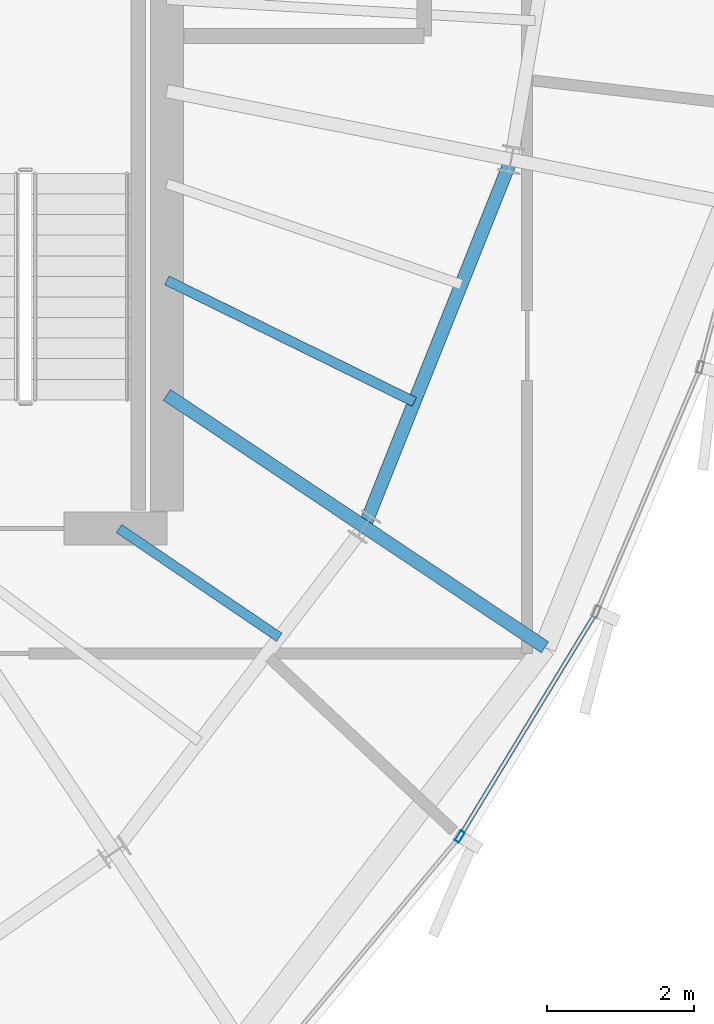
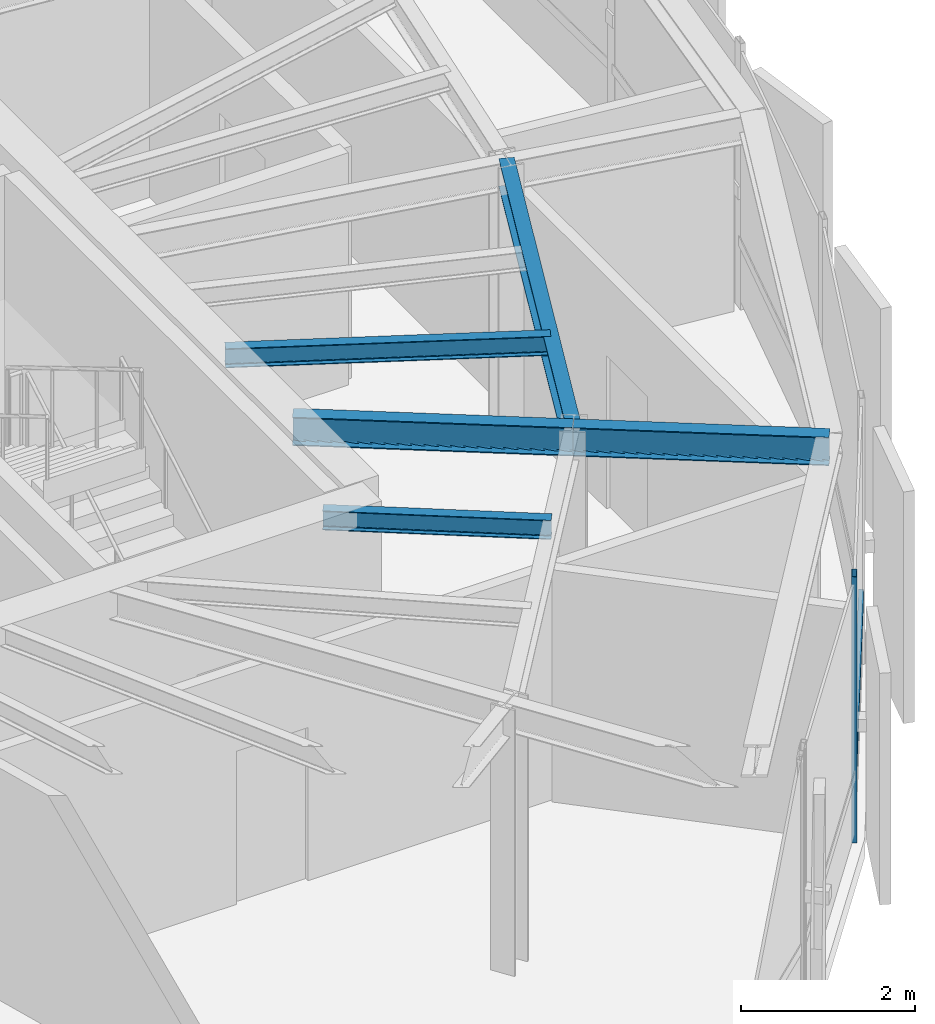
# One storey, part 9 of 26: 5 beams, 2 members, 1 element without a shape of its own.
"""IFC4 building model written with IfcOpenShell, lengths in metres."""

from ifc_helpers import new_model, si_unit, direction, frame, origin, origin_2d, place, context, subcontext, project, spatial, hollow_rectangle, i_section, extrude, source, transform, mapped, material, layer, layer_set, material_profile, profile_set, type_object, element, aggregate, save


model = new_model("IFC4")

# Units and contexts
model_context = context("Model", 3, precision=1e-05, world=origin(), true_north=direction((0.0, 1.0)))
body_context = subcontext(model_context, "Body", "Model", "MODEL_VIEW")
ifc_project = project(units=[si_unit("LENGTHUNIT", "METRE"), si_unit("AREAUNIT", "SQUARE_METRE"), si_unit("VOLUMEUNIT", "CUBIC_METRE"), si_unit("PLANEANGLEUNIT", "RADIAN"), si_unit("MASSUNIT", "GRAM", prefix="KILO"), si_unit("THERMODYNAMICTEMPERATUREUNIT", "KELVIN")], contexts=[model_context])

# Site, building, storey
site_placement = place(None, origin())
site = spatial("IfcSite", under=ifc_project, at=site_placement, CompositionType="ELEMENT")
building_placement = place(site_placement, origin())
building = spatial("IfcBuilding", under=site, at=building_placement, Name="Kethvar Cultural Tower", CompositionType="ELEMENT")
storey_placement = place(building_placement, frame((0.0, 0.0, 320.300048828125)))
storey = spatial("IfcBuildingStorey", under=building, at=storey_placement, Name="L85", CompositionType="ELEMENT", Elevation=320.300048828125)

# Beams
ifc_material_1 = material(Name="Steel S355J2", Category="steel")
ifc_material_profile_1 = material_profile(ifc_material_1, i_section(OverallWidth=0.135009765625, OverallDepth=0.27001953125, WebThickness=0.006591796875, FlangeThickness=0.01025390625, FilletRadius=0.014892578125, at=origin_2d()), Name="Steel S355J2 — IPE270")
ifc_profile_set_1 = profile_set([ifc_material_profile_1], Name="Steel S355J2 — IPE270")
beam_type_1 = type_object("IfcBeamType", Name="BM-J270", PredefinedType="JOIST", material=ifc_profile_set_1)
shared_shape_1 = source(origin(), body_context, "Body", "SweptSolid", [
    extrude(i_section(OverallWidth=0.135009765625, OverallDepth=0.27001953125, WebThickness=0.006591796875, FlangeThickness=0.01025390625, FilletRadius=0.014892578125, at=origin_2d()), origin(), (0.0, 0.0, 1.0), 2.635009765625),
])
beam_1_placement = place(storey_placement, frame((54.949951171875, 20.10009765625, 3.597900390625), z_axis=(0.827446562598, -0.561544464887, 0.0), x_axis=(0.561544464887, 0.827446562598, 0.0)))
element("IfcBeam", 1, at=beam_1_placement, inside=storey, type_object=beam_type_1, Name="L85 Composite Floor Joist J-14B", PredefinedType="JOIST", context=body_context, shape_type="MappedRepresentation", body=[
    mapped(shared_shape_1, transform((0.0, 0.0, 0.0), scale=1.0)),
])
shared_shape_2 = source(origin(), body_context, "Body", "SweptSolid", [
    extrude(i_section(OverallWidth=0.135009765625, OverallDepth=0.27001953125, WebThickness=0.006591796875, FlangeThickness=0.01025390625, FilletRadius=0.014892578125, at=origin_2d()), origin(), (0.0, 0.0, 1.0), 3.75),
])
beam_2_placement = place(storey_placement, frame((55.60009765625, 23.476318359375, 3.597900390625), z_axis=(0.8975046019, -0.441005090184, 0.0), x_axis=(0.441005090184, 0.8975046019, 0.0)))
element("IfcBeam", 2, at=beam_2_placement, inside=storey, type_object=beam_type_1, Name="L85 Composite Floor Joist J-15A", PredefinedType="JOIST", context=body_context, shape_type="MappedRepresentation", body=[
    mapped(shared_shape_2, transform((0.0, 0.0, 0.0), scale=1.0)),
])
ifc_material_profile_2 = material_profile(ifc_material_1, i_section(OverallWidth=0.179931640625, OverallDepth=0.39990234375, WebThickness=0.008544921875, FlangeThickness=0.013427734375, FilletRadius=0.02099609375, at=origin_2d()), Name="Steel S355J2 — IPE400")
ifc_profile_set_2 = profile_set([ifc_material_profile_2], Name="Steel S355J2 — IPE400")
beam_type_2 = type_object("IfcBeamType", Name="BM-IPE400", PredefinedType="BEAM", material=ifc_profile_set_2)
shared_shape_3 = source(origin(), body_context, "Body", "SweptSolid", [
    extrude(i_section(OverallWidth=0.179931640625, OverallDepth=0.39990234375, WebThickness=0.008544921875, FlangeThickness=0.013427734375, FilletRadius=0.02099609375, at=origin_2d()), origin(), (0.0, 0.0, 1.0), 3.231689453125),
])
beam_3_placement = place(storey_placement, frame((55.60009765625, 21.919921875, 3.532958984375), z_axis=(0.831468708055, -0.55557158632, 0.0), x_axis=(0.55557158632, 0.831468708055, 0.0)))
element("IfcBeam", 3, at=beam_3_placement, inside=storey, type_object=beam_type_2, Name="L85 Primary Radial Beam RB-15", PredefinedType="BEAM", context=body_context, shape_type="MappedRepresentation", body=[
    mapped(shared_shape_3, transform((0.0, 0.0, 0.0), scale=1.0)),
])
shared_shape_4 = source(origin(), body_context, "Body", "SweptSolid", [
    extrude(i_section(OverallWidth=0.179931640625, OverallDepth=0.39990234375, WebThickness=0.008544921875, FlangeThickness=0.013427734375, FilletRadius=0.02099609375, at=origin_2d()), origin(), (0.0, 0.0, 1.0), 5.377685546875),
])
beam_4_placement = place(storey_placement, frame((58.287109375, 20.12451171875, 3.532958984375), z_axis=(0.371265436914, 0.928526776864, 0.0), x_axis=(-0.928526776864, 0.371265436914, 0.0)))
element("IfcBeam", 4, at=beam_4_placement, inside=storey, type_object=beam_type_2, Name="L85 Column Ring Tie Beam CR-15", PredefinedType="BEAM", context=body_context, shape_type="MappedRepresentation", body=[
    mapped(shared_shape_4, transform((0.0, 0.0, 0.0), scale=1.0)),
])
shared_shape_5 = source(origin(), body_context, "Body", "SweptSolid", [
    extrude(i_section(OverallWidth=0.179931640625, OverallDepth=0.39990234375, WebThickness=0.008544921875, FlangeThickness=0.013427734375, FilletRadius=0.02099609375, at=origin_2d()), origin(), (0.0, 0.0, 1.0), 2.95361328125),
])
beam_5_placement = place(storey_placement, frame((58.287109375, 20.12451171875, 3.532958984375), z_axis=(0.83143940584, -0.555615437525, 0.0), x_axis=(0.555615437525, 0.83143940584, 0.0)))
element("IfcBeam", 5, at=beam_5_placement, inside=storey, type_object=beam_type_2, Name="L85 Perimeter Cantilever Beam RC-15", PredefinedType="BEAM", context=body_context, shape_type="MappedRepresentation", body=[
    mapped(shared_shape_5, transform((0.0, 0.0, 0.0), scale=1.0)),
])

# Curtain wall, members
ifc_material_2 = material(Name="Aluminium 6063-T6", Category="aluminium")
ifc_layer = layer(ifc_material_2, 0.179931640625, Name="Aluminium 6063-T6", Category="aluminium")
ifc_layer_set = layer_set([ifc_layer], Name="Aluminium 6063-T6 (180 mm)")
curtain_wall_type = type_object("IfcCurtainWallType", Name="CW-SYS-06-CROWN", PredefinedType="NOTDEFINED", material=ifc_layer_set)
curtain_wall_placement = place(storey_placement, origin())
curtain_wall = element("IfcCurtainWall", 6, at=curtain_wall_placement, inside=storey, type_object=curtain_wall_type, Name="L85 Curtain Wall Run 05", PredefinedType="NOTDEFINED")
ifc_material_profile_3 = material_profile(ifc_material_2, hollow_rectangle(XDim=0.06494140625, YDim=0.159912109375, WallThickness=0.0048828125, at=origin_2d()), Name="Aluminium 6063-T6 — RHS160x65x5")
ifc_profile_set_3 = profile_set([ifc_material_profile_3], Name="Aluminium 6063-T6 — RHS160x65x5")
member_type_1 = type_object("IfcMemberType", Name="CW-SYS-06-CROWN-MUL", PredefinedType="MULLION", material=ifc_profile_set_3)
shared_shape_6 = source(origin(), body_context, "Body", "SweptSolid", [
    extrude(hollow_rectangle(XDim=0.06494140625, YDim=0.159912109375, WallThickness=0.0048828125, at=origin_2d()), origin(), (0.0, 0.0, 1.0), 3.73486328125),
])
member_1_placement = place(storey_placement, frame((59.585693359375, 15.910888671875, 0.0), z_axis=(0.0, 0.0, 1.0), x_axis=(-0.85456761922, 0.519340143048, 0.0)))
member_1 = element("IfcMember", 7, at=member_1_placement, type_object=member_type_1, Name="CW-L85-R05 Mullion 2", PredefinedType="MULLION", context=body_context, shape_type="MappedRepresentation", body=[
    mapped(shared_shape_6, transform((0.0, 0.0, 0.0), scale=1.0)),
])
ifc_material_profile_4 = material_profile(ifc_material_2, hollow_rectangle(XDim=0.06005859375, YDim=0.139892578125, WallThickness=0.0048828125, at=origin_2d()), Name="Aluminium 6063-T6 — RHS140x60x5")
ifc_profile_set_4 = profile_set([ifc_material_profile_4], Name="Aluminium 6063-T6 — RHS140x60x5")
member_type_2 = type_object("IfcMemberType", Name="CW-SYS-06-CROWN-TRN", PredefinedType="USERDEFINED", material=ifc_profile_set_4)
shared_shape_7 = source(origin(), body_context, "Body", "SweptSolid", [
    extrude(hollow_rectangle(XDim=0.06005859375, YDim=0.139892578125, WallThickness=0.0048828125, at=origin_2d()), origin(), (0.0, 0.0, 1.0), 3.50146484375),
])
member_2_placement = place(storey_placement, frame((59.60986328125, 15.95068359375, 0.949951171875), z_axis=(0.519327441215, 0.854575338283, 0.0), x_axis=(-0.854575338283, 0.519327441215, 0.0)))
member_2 = element("IfcMember", 8, at=member_2_placement, type_object=member_type_2, Name="CW-L85-R05 Transom 2", ObjectType="TRANSOM", PredefinedType="USERDEFINED", context=body_context, shape_type="MappedRepresentation", body=[
    mapped(shared_shape_7, transform((0.0, 0.0, 0.0), scale=1.0)),
])
aggregate(curtain_wall, [member_1, member_2])

save(model, "model.ifc")
